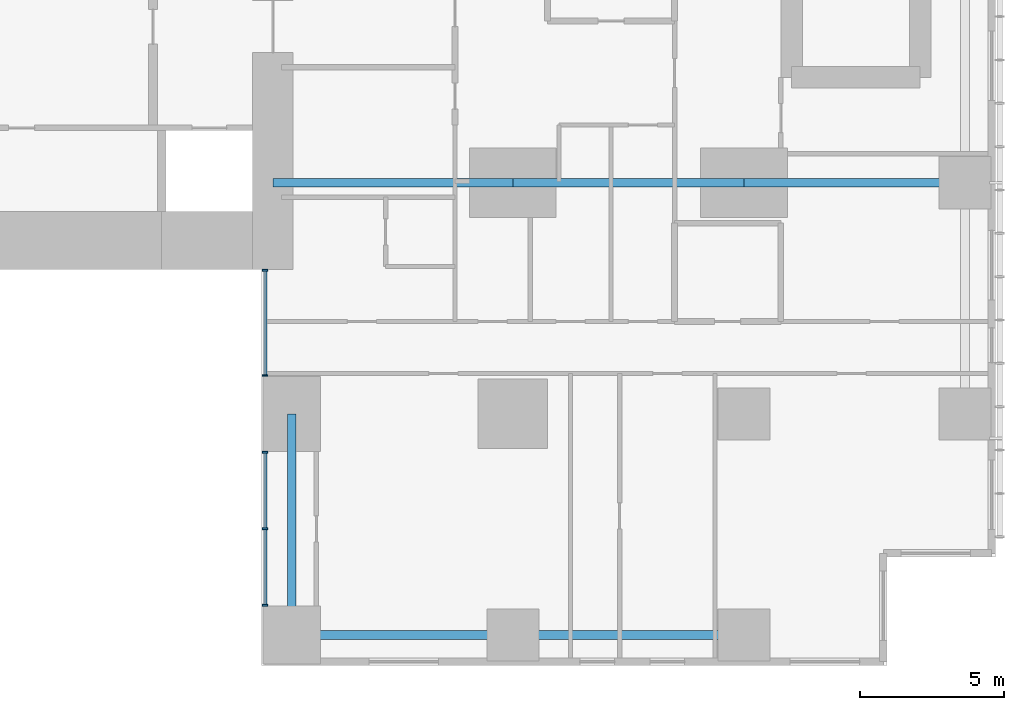
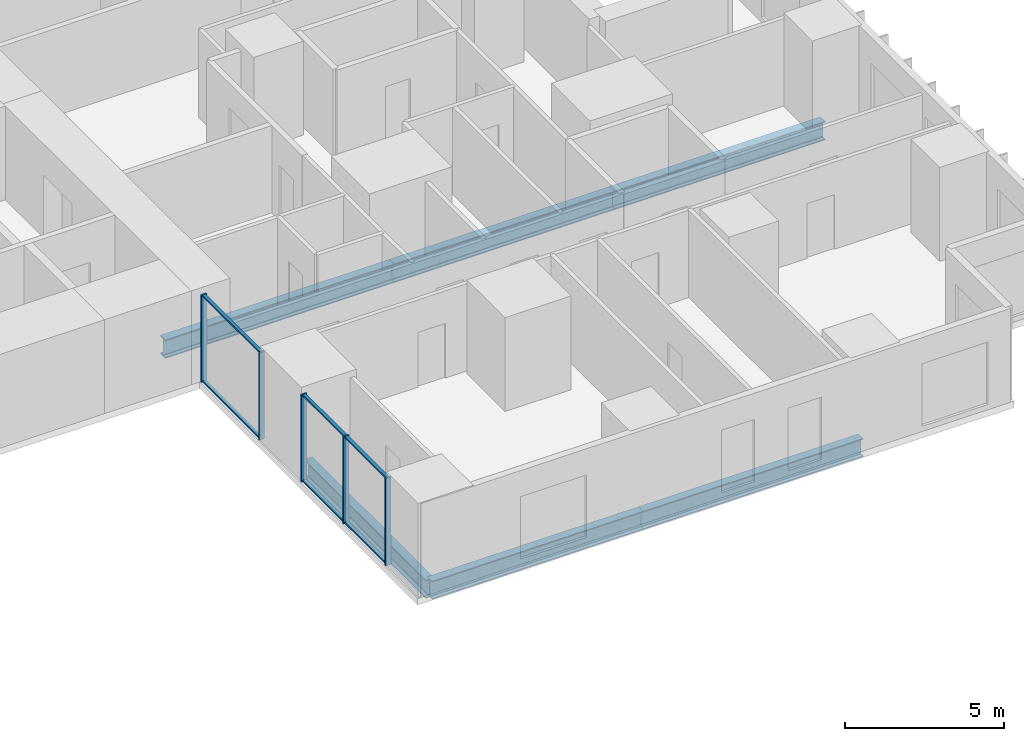
# One storey, part 3 of 20: 11 members, 6 beams, 2 elements without a shape of their own.
"""IFC4 building model written with IfcOpenShell, lengths in metres."""

from ifc_helpers import new_model, si_unit, direction, frame, origin, origin_2d, place, context, subcontext, project, spatial, rectangle, i_section, extrude, material, layer, layer_set, material_profile, profile_set, type_object, element, aggregate, save


model = new_model("IFC4")

# Units and contexts
model_context = context("Model", 3, precision=1e-05, world=origin(), true_north=direction((0.0, 1.0)))
body_context = subcontext(model_context, "Body", "Model", "MODEL_VIEW")
ifc_project = project(units=[si_unit("LENGTHUNIT", "METRE"), si_unit("AREAUNIT", "SQUARE_METRE"), si_unit("VOLUMEUNIT", "CUBIC_METRE"), si_unit("PLANEANGLEUNIT", "RADIAN"), si_unit("MASSUNIT", "GRAM", prefix="KILO")], contexts=[model_context])

# Site, building, storey
site_placement = place(None, origin())
site = spatial("IfcSite", under=ifc_project, at=site_placement, CompositionType="ELEMENT")
building_placement = place(site_placement, origin())
building = spatial("IfcBuilding", under=site, at=building_placement, Name="Cleftline Residences", CompositionType="ELEMENT")
storey_placement = place(building_placement, frame((0.0, 0.0, 207.39990234375)))
storey = spatial("IfcBuildingStorey", under=building, at=storey_placement, Name="L54", CompositionType="ELEMENT", Elevation=207.39990234375)

# Beams
ifc_material_1 = material(Name="Steel S355", Category="steel")
ifc_material_profile_1 = material_profile(ifc_material_1, i_section(OverallWidth=0.300048828125, OverallDepth=0.699951171875, WebThickness=0.01708984375, FlangeThickness=0.031982421875, FilletRadius=0.027099609375, at=origin_2d()))
ifc_profile_set_1 = profile_set([ifc_material_profile_1], Name="Steel S355")
beam_type_1 = type_object("IfcBeamType", Name="BEAM HEB 700", PredefinedType="BEAM", material=ifc_profile_set_1)
beam_1_placement = place(storey_placement, frame((58.0, 0.35009765625, -0.599853515625), z_axis=(-1.0, 0.0, 0.0), x_axis=(0.0, -1.0, 0.0)))
element("IfcBeam", 1, at=beam_1_placement, inside=storey, type_object=beam_type_1, Name="Edge beam", PredefinedType="BEAM", context=body_context, shape_type="SweptSolid", body=[
    extrude(i_section(OverallWidth=0.300048828125, OverallDepth=0.699951171875, WebThickness=0.01708984375, FlangeThickness=0.031982421875, FilletRadius=0.027099609375, at=origin_2d()), origin(), (0.0, 0.0, 1.0), 8.0),
])
for number, where, z_axis, x_axis, name in (
    (2, (50.0, 0.35009765625, -0.599853515625), (-1.0, 0.0, 0.0), (0.0, -1.0, 0.0), "Edge beam"),
    (3, (42.35009765625, 0.35009765625, -0.599853515625), (0.0, 1.0, 0.0), (-1.0, 0.0, 0.0), "Edge beam"),
):
    element("IfcBeam", number, at=place(storey_placement, frame(where, z_axis=z_axis, x_axis=x_axis)), inside=storey, type_object=beam_type_1, Name=name, PredefinedType="BEAM", context=body_context, shape_type="SweptSolid", body=[
        extrude(i_section(OverallWidth=0.300048828125, OverallDepth=0.699951171875, WebThickness=0.01708984375, FlangeThickness=0.031982421875, FilletRadius=0.027099609375, at=origin_2d()), origin(), (0.0, 0.0, 1.0), 7.64990234375),
    ])
ifc_material_2 = material(Name="Steel S355", Category="steel")
ifc_material_profile_2 = material_profile(ifc_material_2, i_section(OverallWidth=0.303955078125, OverallDepth=0.716064453125, WebThickness=0.02099609375, FlangeThickness=0.0400390625, FilletRadius=0.027099609375, at=origin_2d()))
ifc_profile_set_2 = profile_set([ifc_material_profile_2], Name="Steel S355")
beam_type_2 = type_object("IfcBeamType", Name="BEAM HEM 700", PredefinedType="BEAM", material=ifc_profile_set_2)
beam_2_placement = place(storey_placement, frame((65.64990234375, 16.0, -0.60791015625), z_axis=(-1.0, 0.0, 0.0), x_axis=(0.0, -1.0, 0.0)))
element("IfcBeam", 4, at=beam_2_placement, inside=storey, type_object=beam_type_2, Name="Band beam", PredefinedType="BEAM", context=body_context, shape_type="SweptSolid", body=[
    extrude(i_section(OverallWidth=0.303955078125, OverallDepth=0.716064453125, WebThickness=0.02099609375, FlangeThickness=0.0400390625, FilletRadius=0.027099609375, at=origin_2d()), origin(), (0.0, 0.0, 1.0), 7.64990234375),
])
beam_3_placement = place(storey_placement, frame((58.0, 16.0, -0.60791015625), z_axis=(-1.0, 0.0, 0.0), x_axis=(0.0, -1.0, 0.0)))
element("IfcBeam", 5, at=beam_3_placement, inside=storey, type_object=beam_type_2, Name="Band beam", PredefinedType="BEAM", context=body_context, shape_type="SweptSolid", body=[
    extrude(i_section(OverallWidth=0.303955078125, OverallDepth=0.716064453125, WebThickness=0.02099609375, FlangeThickness=0.0400390625, FilletRadius=0.027099609375, at=origin_2d()), origin(), (0.0, 0.0, 1.0), 8.0),
])
beam_4_placement = place(storey_placement, frame((50.0, 16.0, -0.60791015625), z_axis=(-1.0, 0.0, 0.0), x_axis=(0.0, -1.0, 0.0)))
element("IfcBeam", 6, at=beam_4_placement, inside=storey, type_object=beam_type_2, Name="Band beam", PredefinedType="BEAM", context=body_context, shape_type="SweptSolid", body=[
    extrude(i_section(OverallWidth=0.303955078125, OverallDepth=0.716064453125, WebThickness=0.02099609375, FlangeThickness=0.0400390625, FilletRadius=0.027099609375, at=origin_2d()), origin(), (0.0, 0.0, 1.0), 8.300048828125),
])

# Curtain wall, members
ifc_material_3 = material(Name="Aluminium framed curtain wall", Category="aluminium")
ifc_layer = layer(ifc_material_3, 0.199951171875)
ifc_layer_set = layer_set([ifc_layer], Name="CW1 CLEFT GLAZING")
curtain_wall_type = type_object("IfcCurtainWallType", Name="CW1 CLEFT GLAZING", PredefinedType="NOTDEFINED", material=ifc_layer_set)
curtain_wall_1_placement = place(storey_placement, origin())
curtain_wall_1 = element("IfcCurtainWall", 7, at=curtain_wall_1_placement, inside=storey, type_object=curtain_wall_type, Name="Curtain wall CW1", PredefinedType="NOTDEFINED")
ifc_material_4 = material(Name="Aluminium mullion", Category="aluminium")
ifc_material_profile_3 = material_profile(ifc_material_4, rectangle(XDim=0.199951171875, YDim=0.06005859375, at=origin_2d()))
ifc_profile_set_3 = profile_set([ifc_material_profile_3], Name="Aluminium mullion")
member_type_1 = type_object("IfcMemberType", Name="CW1 MULLION", PredefinedType="MULLION", material=ifc_profile_set_3)
member_1_placement = place(storey_placement, frame((41.425048828125, 12.969970703125, 0.0), z_axis=(0.0, 0.0, 1.0), x_axis=(1.0, 0.0, 0.0)))
member_1 = element("IfcMember", 8, at=member_1_placement, type_object=member_type_1, Name="CW1 mullion 1", PredefinedType="MULLION", context=body_context, shape_type="SweptSolid", body=[
    extrude(rectangle(XDim=0.199951171875, YDim=0.06005859375, at=origin_2d()), origin(), (0.0, 0.0, 1.0), 3.35009765625),
])
member_2_placement = place(storey_placement, frame((41.425048828125, 9.330078125, 0.0), z_axis=(0.0, 0.0, 1.0), x_axis=(1.0, 0.0, 0.0)))
member_2 = element("IfcMember", 9, at=member_2_placement, type_object=member_type_1, Name="CW1 mullion 2", PredefinedType="MULLION", context=body_context, shape_type="SweptSolid", body=[
    extrude(rectangle(XDim=0.199951171875, YDim=0.06005859375, at=origin_2d()), origin(), (0.0, 0.0, 1.0), 3.35009765625),
])

curtain_wall_2_placement = place(storey_placement, origin())
curtain_wall_2 = element("IfcCurtainWall", 10, at=curtain_wall_2_placement, inside=storey, type_object=curtain_wall_type, Name="Curtain wall CW1", PredefinedType="NOTDEFINED")
member_3_placement = place(storey_placement, frame((41.425048828125, 6.669921875, 0.0), z_axis=(0.0, 0.0, 1.0), x_axis=(1.0, 0.0, 0.0)))
member_3 = element("IfcMember", 11, at=member_3_placement, type_object=member_type_1, Name="CW1 mullion 1", PredefinedType="MULLION", context=body_context, shape_type="SweptSolid", body=[
    extrude(rectangle(XDim=0.199951171875, YDim=0.06005859375, at=origin_2d()), origin(), (0.0, 0.0, 1.0), 3.35009765625),
])
member_4_placement = place(storey_placement, frame((41.425048828125, 4.02490234375, 0.0), z_axis=(0.0, 0.0, 1.0), x_axis=(1.0, 0.0, 0.0)))
member_4 = element("IfcMember", 12, at=member_4_placement, type_object=member_type_1, Name="CW1 mullion 2", PredefinedType="MULLION", context=body_context, shape_type="SweptSolid", body=[
    extrude(rectangle(XDim=0.199951171875, YDim=0.06005859375, at=origin_2d()), origin(), (0.0, 0.0, 1.0), 3.35009765625),
])
member_5_placement = place(storey_placement, frame((41.425048828125, 1.3798828125, 0.0), z_axis=(0.0, 0.0, 1.0), x_axis=(1.0, 0.0, 0.0)))
member_5 = element("IfcMember", 13, at=member_5_placement, type_object=member_type_1, Name="CW1 mullion 3", PredefinedType="MULLION", context=body_context, shape_type="SweptSolid", body=[
    extrude(rectangle(XDim=0.199951171875, YDim=0.06005859375, at=origin_2d()), origin(), (0.0, 0.0, 1.0), 3.35009765625),
])

# Member
ifc_material_5 = material(Name="Aluminium transom", Category="aluminium")
ifc_material_profile_4 = material_profile(ifc_material_5, rectangle(XDim=0.1201171875, YDim=0.06005859375, at=origin_2d()))
ifc_profile_set_4 = profile_set([ifc_material_profile_4], Name="Aluminium transom")
member_type_2 = type_object("IfcMemberType", Name="CW1 TRANSOM", PredefinedType="USERDEFINED", material=ifc_profile_set_4)
member_6_placement = place(storey_placement, frame((41.425048828125, 12.93994140625, 0.030029296875), z_axis=(0.0, -1.0, 0.0), x_axis=(1.0, 0.0, 0.0)))
member_6 = element("IfcMember", 14, at=member_6_placement, type_object=member_type_2, Name="CW1 transom 1.1", ObjectType="TRANSOM", PredefinedType="USERDEFINED", context=body_context, shape_type="SweptSolid", body=[
    extrude(rectangle(XDim=0.1201171875, YDim=0.06005859375, at=origin_2d()), origin(), (0.0, 0.0, 1.0), 3.579833984375),
])

member_7_placement = place(storey_placement, frame((41.425048828125, 12.93994140625, 3.320068359375), z_axis=(0.0, -1.0, 0.0), x_axis=(1.0, 0.0, 0.0)))
member_7 = element("IfcMember", 15, at=member_7_placement, type_object=member_type_2, Name="CW1 transom 1.2", ObjectType="TRANSOM", PredefinedType="USERDEFINED", context=body_context, shape_type="SweptSolid", body=[
    extrude(rectangle(XDim=0.1201171875, YDim=0.06005859375, at=origin_2d()), origin(), (0.0, 0.0, 1.0), 3.579833984375),
])

aggregate(curtain_wall_1, [member_1, member_2, member_6, member_7])

member_8_placement = place(storey_placement, frame((41.425048828125, 6.639892578125, 0.030029296875), z_axis=(0.0, -1.0, 0.0), x_axis=(1.0, 0.0, 0.0)))
member_8 = element("IfcMember", 16, at=member_8_placement, type_object=member_type_2, Name="CW1 transom 1.1", ObjectType="TRANSOM", PredefinedType="USERDEFINED", context=body_context, shape_type="SweptSolid", body=[
    extrude(rectangle(XDim=0.1201171875, YDim=0.06005859375, at=origin_2d()), origin(), (0.0, 0.0, 1.0), 2.5849609375),
])

member_9_placement = place(storey_placement, frame((41.425048828125, 6.639892578125, 3.320068359375), z_axis=(0.0, -1.0, 0.0), x_axis=(1.0, 0.0, 0.0)))
member_9 = element("IfcMember", 17, at=member_9_placement, type_object=member_type_2, Name="CW1 transom 1.2", ObjectType="TRANSOM", PredefinedType="USERDEFINED", context=body_context, shape_type="SweptSolid", body=[
    extrude(rectangle(XDim=0.1201171875, YDim=0.06005859375, at=origin_2d()), origin(), (0.0, 0.0, 1.0), 2.5849609375),
])

member_10_placement = place(storey_placement, frame((41.425048828125, 3.9951171875, 0.030029296875), z_axis=(0.0, -1.0, 0.0), x_axis=(1.0, 0.0, 0.0)))
member_10 = element("IfcMember", 18, at=member_10_placement, type_object=member_type_2, Name="CW1 transom 2.1", ObjectType="TRANSOM", PredefinedType="USERDEFINED", context=body_context, shape_type="SweptSolid", body=[
    extrude(rectangle(XDim=0.1201171875, YDim=0.06005859375, at=origin_2d()), origin(), (0.0, 0.0, 1.0), 2.585205078125),
])

member_11_placement = place(storey_placement, frame((41.425048828125, 3.9951171875, 3.320068359375), z_axis=(0.0, -1.0, 0.0), x_axis=(1.0, 0.0, 0.0)))
member_11 = element("IfcMember", 19, at=member_11_placement, type_object=member_type_2, Name="CW1 transom 2.2", ObjectType="TRANSOM", PredefinedType="USERDEFINED", context=body_context, shape_type="SweptSolid", body=[
    extrude(rectangle(XDim=0.1201171875, YDim=0.06005859375, at=origin_2d()), origin(), (0.0, 0.0, 1.0), 2.585205078125),
])

aggregate(curtain_wall_2, [member_3, member_4, member_5, member_8, member_9, member_10, member_11])

save(model, "model.ifc")
